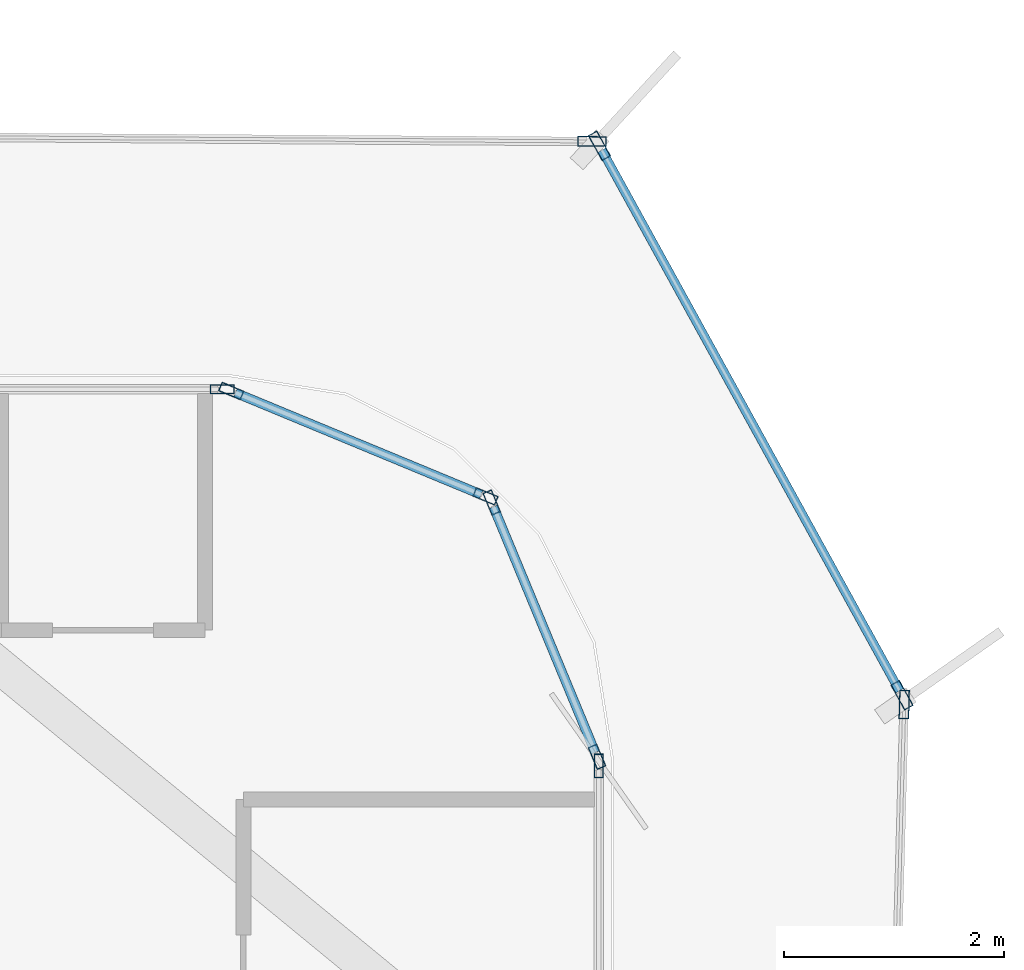
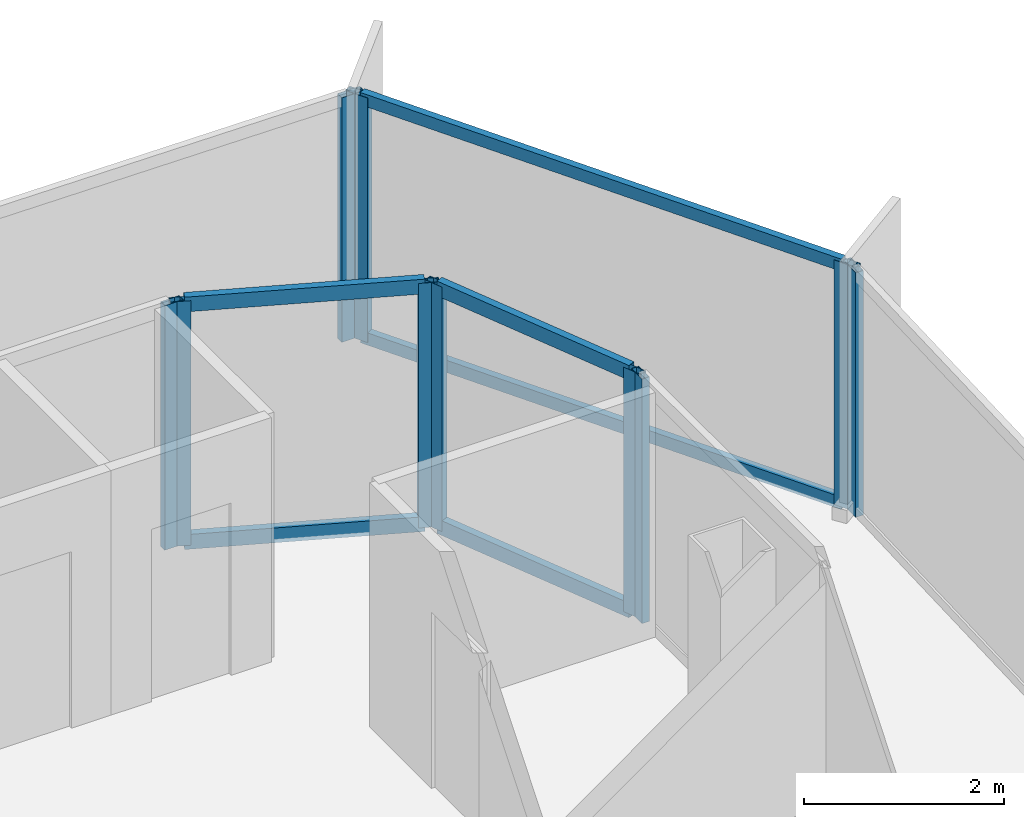
# One storey, part 8 of 15: 16 members, 7 elements without a shape of their own.
"""IFC4 building model written with IfcOpenShell, lengths in metres."""

from ifc_helpers import new_model, si_unit, direction, frame, origin, origin_2d, place, context, subcontext, project, spatial, hollow_rectangle, extrude, source, transform, mapped, material, layer, layer_set, material_profile, profile_set, type_object, element, aggregate, save


model = new_model("IFC4")

# Units and contexts
model_context = context("Model", 3, precision=1e-05, world=origin(), true_north=direction((0.0, 1.0)))
body_context = subcontext(model_context, "Body", "Model", "MODEL_VIEW")
ifc_project = project(units=[si_unit("LENGTHUNIT", "METRE"), si_unit("AREAUNIT", "SQUARE_METRE"), si_unit("VOLUMEUNIT", "CUBIC_METRE"), si_unit("PLANEANGLEUNIT", "RADIAN"), si_unit("MASSUNIT", "GRAM", prefix="KILO")], contexts=[model_context])

# Site, building, storey
site_placement = place(None, origin())
site = spatial("IfcSite", under=ifc_project, at=site_placement, CompositionType="ELEMENT")
building_placement = place(site_placement, origin())
building = spatial("IfcBuilding", under=site, at=building_placement, Name="Kolveth Station Tower", CompositionType="ELEMENT")
storey_placement = place(building_placement, frame((0.0, 0.0, 268.10009765625)))
storey = spatial("IfcBuildingStorey", under=building, at=storey_placement, Name="L77", CompositionType="ELEMENT", Elevation=268.10009765625)

# Curtain wall, member
ifc_material_1 = material(Name="Aluminium 6063-T6 and triple low-E dark glass", Category="aluminium")
ifc_layer_1 = layer(ifc_material_1, 0.199951171875)
ifc_layer_set_1 = layer_set([ifc_layer_1], Name="Aluminium 6063-T6 and triple low-E dark glass")
curtain_wall_type_1 = type_object("IfcCurtainWallType", Name="CurtainWall_CW-Z3", PredefinedType="NOTDEFINED", material=ifc_layer_set_1)
curtain_wall_1_placement = place(storey_placement, origin())
curtain_wall_1 = element("IfcCurtainWall", 1, at=curtain_wall_1_placement, inside=storey, type_object=curtain_wall_type_1, Name="L77 Inner Thermal Curtain Wall 3", PredefinedType="NOTDEFINED")
ifc_material_2 = material(Name="Black anodized aluminium 6063-T6", Category="aluminium")
ifc_material_profile_1 = material_profile(ifc_material_2, hollow_rectangle(XDim=0.0849609375, YDim=0.215087890625, WallThickness=0.0048828125, at=origin_2d()), Name="ALU-85x215x5")
ifc_profile_set_1 = profile_set([ifc_material_profile_1], Name="Black anodized aluminium 6063-T6")
member_type_1 = type_object("IfcMemberType", Name="Mullion_ML3", PredefinedType="MULLION", material=ifc_profile_set_1)
shared_shape_1 = source(origin(), body_context, "Body", "SweptSolid", [
    extrude(hollow_rectangle(XDim=0.0849609375, YDim=0.215087890625, WallThickness=0.0048828125, at=origin_2d()), origin(), (0.0, 0.0, 1.0), 2.97998046875),
])
member_1_placement = place(storey_placement, frame((41.679931640625, 31.757568359375, 0.0), z_axis=(0.0, 0.0, 1.0), x_axis=(-1.0, 0.0, 0.0)))
member_1 = element("IfcMember", 2, at=member_1_placement, type_object=member_type_1, Name="CW-Z3 mullion 2", PredefinedType="MULLION", context=body_context, shape_type="MappedRepresentation", body=[
    mapped(shared_shape_1, transform((0.0, 0.0, 0.0), x_axis=(1.0, 0.0, 0.0), y_axis=(0.0, 1.0, 0.0), z_axis=(0.0, 0.0, 1.0), scale=1.0)),
])
aggregate(curtain_wall_1, [member_1])

# Curtain wall, members
curtain_wall_2_placement = place(storey_placement, origin())
curtain_wall_2 = element("IfcCurtainWall", 3, at=curtain_wall_2_placement, inside=storey, type_object=curtain_wall_type_1, Name="L77 Inner Thermal Curtain Wall 4", PredefinedType="NOTDEFINED")
member_2_placement = place(storey_placement, frame((41.663818359375, 31.83935546875, 0.0), z_axis=(0.0, 0.0, 1.0), x_axis=(-0.923875488975, -0.382693194181, 0.0)))
member_2 = element("IfcMember", 4, at=member_2_placement, type_object=member_type_1, Name="CW-Z3 mullion 1", PredefinedType="MULLION", context=body_context, shape_type="MappedRepresentation", body=[
    mapped(shared_shape_1, transform((0.0, 0.0, 0.0), x_axis=(1.0, 0.0, 0.0), y_axis=(0.0, 1.0, 0.0), z_axis=(0.0, 0.0, 1.0), scale=1.0)),
])
member_3_placement = place(storey_placement, frame((40.706298828125, 34.150634765625, 0.0), z_axis=(0.0, 0.0, 1.0), x_axis=(-0.923875488975, -0.382693194181, 0.0)))
member_3 = element("IfcMember", 5, at=member_3_placement, type_object=member_type_1, Name="CW-Z3 mullion 2", PredefinedType="MULLION", context=body_context, shape_type="MappedRepresentation", body=[
    mapped(shared_shape_1, transform((0.0, 0.0, 0.0), x_axis=(1.0, 0.0, 0.0), y_axis=(0.0, 1.0, 0.0), z_axis=(0.0, 0.0, 1.0), scale=1.0)),
])

curtain_wall_3_placement = place(storey_placement, origin())
curtain_wall_3 = element("IfcCurtainWall", 6, at=curtain_wall_3_placement, inside=storey, type_object=curtain_wall_type_1, Name="L77 Inner Thermal Curtain Wall 5", PredefinedType="NOTDEFINED")
member_4_placement = place(storey_placement, frame((40.650634765625, 34.206298828125, 0.0), z_axis=(0.0, 0.0, 1.0), x_axis=(-0.382693194181, -0.923875488975, 0.0)))
member_4 = element("IfcMember", 7, at=member_4_placement, type_object=member_type_1, Name="CW-Z3 mullion 1", PredefinedType="MULLION", context=body_context, shape_type="MappedRepresentation", body=[
    mapped(shared_shape_1, transform((0.0, 0.0, 0.0), x_axis=(1.0, 0.0, 0.0), y_axis=(0.0, 1.0, 0.0), z_axis=(0.0, 0.0, 1.0), scale=1.0)),
])
member_5_placement = place(storey_placement, frame((38.33935546875, 35.163818359375, 0.0), z_axis=(0.0, 0.0, 1.0), x_axis=(-0.382693194181, -0.923875488975, 0.0)))
member_5 = element("IfcMember", 8, at=member_5_placement, type_object=member_type_1, Name="CW-Z3 mullion 2", PredefinedType="MULLION", context=body_context, shape_type="MappedRepresentation", body=[
    mapped(shared_shape_1, transform((0.0, 0.0, 0.0), x_axis=(1.0, 0.0, 0.0), y_axis=(0.0, 1.0, 0.0), z_axis=(0.0, 0.0, 1.0), scale=1.0)),
])

# Curtain wall, member
curtain_wall_4_placement = place(storey_placement, origin())
curtain_wall_4 = element("IfcCurtainWall", 9, at=curtain_wall_4_placement, inside=storey, type_object=curtain_wall_type_1, Name="L77 Inner Thermal Curtain Wall 6", PredefinedType="NOTDEFINED")
member_6_placement = place(storey_placement, frame((38.257568359375, 35.179931640625, 0.0), z_axis=(0.0, 0.0, 1.0), x_axis=(0.0, -1.0, 0.0)))
member_6 = element("IfcMember", 10, at=member_6_placement, type_object=member_type_1, Name="CW-Z3 mullion 1", PredefinedType="MULLION", context=body_context, shape_type="MappedRepresentation", body=[
    mapped(shared_shape_1, transform((0.0, 0.0, 0.0), x_axis=(1.0, 0.0, 0.0), y_axis=(0.0, 1.0, 0.0), z_axis=(0.0, 0.0, 1.0), scale=1.0)),
])
aggregate(curtain_wall_4, [member_6])

# Member
ifc_material_profile_2 = material_profile(ifc_material_2, hollow_rectangle(XDim=0.0849609375, YDim=0.179931640625, WallThickness=0.0048828125, at=origin_2d()), Name="ALU-85x180x5")
ifc_profile_set_2 = profile_set([ifc_material_profile_2], Name="Black anodized aluminium 6063-T6")
member_type_2 = type_object("IfcMemberType", Name="Transom_TR3", PredefinedType="USERDEFINED", material=ifc_profile_set_2)
shared_shape_2 = source(origin(), body_context, "Body", "SweptSolid", [
    extrude(hollow_rectangle(XDim=0.0849609375, YDim=0.179931640625, WallThickness=0.0048828125, at=origin_2d()), origin(), (0.0, 0.0, 1.0), 2.417236328125),
])
member_7_placement = place(storey_placement, frame((41.6474609375, 31.87841796875, 0.04248046875), z_axis=(-0.382699687013, 0.923872799448, 0.0), x_axis=(-0.923872799448, -0.382699687013, 0.0)))
member_7 = element("IfcMember", 11, at=member_7_placement, type_object=member_type_2, Name="CW-Z3 transom 1.1", ObjectType="TRANSOM", PredefinedType="USERDEFINED", context=body_context, shape_type="MappedRepresentation", body=[
    mapped(shared_shape_2, transform((0.0, 0.0, 0.0), x_axis=(1.0, 0.0, 0.0), y_axis=(0.0, 1.0, 0.0), z_axis=(0.0, 0.0, 1.0), scale=1.0)),
])

member_8_placement = place(storey_placement, frame((41.6474609375, 31.87841796875, 2.9375), z_axis=(-0.382699687013, 0.923872799448, 0.0), x_axis=(-0.923872799448, -0.382699687013, 0.0)))
member_8 = element("IfcMember", 12, at=member_8_placement, type_object=member_type_2, Name="CW-Z3 transom 1.2", ObjectType="TRANSOM", PredefinedType="USERDEFINED", context=body_context, shape_type="MappedRepresentation", body=[
    mapped(shared_shape_2, transform((0.0, 0.0, 0.0), x_axis=(1.0, 0.0, 0.0), y_axis=(0.0, 1.0, 0.0), z_axis=(0.0, 0.0, 1.0), scale=1.0)),
])

aggregate(curtain_wall_2, [member_2, member_3, member_7, member_8])

member_9_placement = place(storey_placement, frame((40.611572265625, 34.222412109375, 0.04248046875), z_axis=(-0.923872799448, 0.382699687013, 0.0), x_axis=(-0.382699687013, -0.923872799448, 0.0)))
member_9 = element("IfcMember", 13, at=member_9_placement, type_object=member_type_2, Name="CW-Z3 transom 1.1", ObjectType="TRANSOM", PredefinedType="USERDEFINED", context=body_context, shape_type="MappedRepresentation", body=[
    mapped(shared_shape_2, transform((0.0, 0.0, 0.0), x_axis=(1.0, 0.0, 0.0), y_axis=(0.0, 1.0, 0.0), z_axis=(0.0, 0.0, 1.0), scale=1.0)),
])

member_10_placement = place(storey_placement, frame((40.611572265625, 34.222412109375, 2.9375), z_axis=(-0.923872799448, 0.382699687013, 0.0), x_axis=(-0.382699687013, -0.923872799448, 0.0)))
member_10 = element("IfcMember", 14, at=member_10_placement, type_object=member_type_2, Name="CW-Z3 transom 1.2", ObjectType="TRANSOM", PredefinedType="USERDEFINED", context=body_context, shape_type="MappedRepresentation", body=[
    mapped(shared_shape_2, transform((0.0, 0.0, 0.0), x_axis=(1.0, 0.0, 0.0), y_axis=(0.0, 1.0, 0.0), z_axis=(0.0, 0.0, 1.0), scale=1.0)),
])

aggregate(curtain_wall_3, [member_4, member_5, member_9, member_10])

# Curtain wall, member
ifc_material_3 = material(Name="Black anodized aluminium 6063-T6 and dark solar glass", Category="aluminium")
ifc_layer_2 = layer(ifc_material_3, 0.159912109375)
ifc_layer_set_2 = layer_set([ifc_layer_2], Name="Black anodized aluminium 6063-T6 and dark solar glass")
curtain_wall_type_2 = type_object("IfcCurtainWallType", Name="OUTER SKIN CW-OS", PredefinedType="NOTDEFINED", material=ifc_layer_set_2)
curtain_wall_5_placement = place(storey_placement, origin())
curtain_wall_5 = element("IfcCurtainWall", 15, at=curtain_wall_5_placement, inside=storey, type_object=curtain_wall_type_2, Name="L77 Outer Ventilated Skin Curtain Wall 2", PredefinedType="NOTDEFINED")
ifc_material_profile_3 = material_profile(ifc_material_2, hollow_rectangle(XDim=0.090087890625, YDim=0.260009765625, WallThickness=0.0048828125, at=origin_2d()), Name="ALU-90x260x5")
ifc_profile_set_3 = profile_set([ifc_material_profile_3], Name="Black anodized aluminium 6063-T6")
member_type_3 = type_object("IfcMemberType", Name="FIN MULLION ML-OS", PredefinedType="MULLION", material=ifc_profile_set_3)
shared_shape_3 = source(origin(), body_context, "Body", "SweptSolid", [
    extrude(hollow_rectangle(XDim=0.090087890625, YDim=0.260009765625, WallThickness=0.0048828125, at=origin_2d()), origin(), (0.0, 0.0, 1.0), 2.97998046875),
])
member_11_placement = place(storey_placement, frame((44.45556640625, 32.314697265625, 0.0), z_axis=(0.0, 0.0, 1.0), x_axis=(-0.999633066342, 0.02708750036, 0.0)))
member_11 = element("IfcMember", 16, at=member_11_placement, type_object=member_type_3, Name="CW-OS mullion 2", PredefinedType="MULLION", context=body_context, shape_type="MappedRepresentation", body=[
    mapped(shared_shape_3, transform((0.0, 0.0, 0.0), x_axis=(1.0, 0.0, 0.0), y_axis=(0.0, 1.0, 0.0), z_axis=(0.0, 0.0, 1.0), scale=1.0)),
])
aggregate(curtain_wall_5, [member_11])

# Curtain wall, members
curtain_wall_6_placement = place(storey_placement, origin())
curtain_wall_6 = element("IfcCurtainWall", 17, at=curtain_wall_6_placement, inside=storey, type_object=curtain_wall_type_2, Name="L77 Outer Ventilated Skin Curtain Wall 3", PredefinedType="NOTDEFINED")
member_12_placement = place(storey_placement, frame((44.435302734375, 32.399169921875, 0.0), z_axis=(0.0, 0.0, 1.0), x_axis=(-0.875996288916, -0.482317843133, 0.0)))
member_12 = element("IfcMember", 18, at=member_12_placement, type_object=member_type_3, Name="CW-OS mullion 1", PredefinedType="MULLION", context=body_context, shape_type="MappedRepresentation", body=[
    mapped(shared_shape_3, transform((0.0, 0.0, 0.0), x_axis=(1.0, 0.0, 0.0), y_axis=(0.0, 1.0, 0.0), z_axis=(0.0, 0.0, 1.0), scale=1.0)),
])
member_13_placement = place(storey_placement, frame((41.68603515625, 37.39208984375, 0.0), z_axis=(0.0, 0.0, 1.0), x_axis=(-0.875996288916, -0.482317843133, 0.0)))
member_13 = element("IfcMember", 19, at=member_13_placement, type_object=member_type_3, Name="CW-OS mullion 2", PredefinedType="MULLION", context=body_context, shape_type="MappedRepresentation", body=[
    mapped(shared_shape_3, transform((0.0, 0.0, 0.0), x_axis=(1.0, 0.0, 0.0), y_axis=(0.0, 1.0, 0.0), z_axis=(0.0, 0.0, 1.0), scale=1.0)),
])

# Curtain wall, member
curtain_wall_7_placement = place(storey_placement, origin())
curtain_wall_7 = element("IfcCurtainWall", 20, at=curtain_wall_7_placement, inside=storey, type_object=curtain_wall_type_2, Name="L77 Outer Ventilated Skin Curtain Wall 4", PredefinedType="NOTDEFINED")
member_14_placement = place(storey_placement, frame((41.619384765625, 37.431884765625, 0.0), z_axis=(0.0, 0.0, 1.0), x_axis=(-0.006677203964, -0.999977707225, 0.0)))
member_14 = element("IfcMember", 21, at=member_14_placement, type_object=member_type_3, Name="CW-OS mullion 1", PredefinedType="MULLION", context=body_context, shape_type="MappedRepresentation", body=[
    mapped(shared_shape_3, transform((0.0, 0.0, 0.0), x_axis=(1.0, 0.0, 0.0), y_axis=(0.0, 1.0, 0.0), z_axis=(0.0, 0.0, 1.0), scale=1.0)),
])
aggregate(curtain_wall_7, [member_14])

# Member
ifc_material_profile_4 = material_profile(ifc_material_2, hollow_rectangle(XDim=0.080078125, YDim=0.14990234375, WallThickness=0.0048828125, at=origin_2d()), Name="ALU-80x150x5")
ifc_profile_set_4 = profile_set([ifc_material_profile_4], Name="Black anodized aluminium 6063-T6")
member_type_4 = type_object("IfcMemberType", Name="Transom_TR-OS", PredefinedType="USERDEFINED", material=ifc_profile_set_4)
shared_shape_4 = source(origin(), body_context, "Body", "SweptSolid", [
    extrude(hollow_rectangle(XDim=0.080078125, YDim=0.14990234375, WallThickness=0.0048828125, at=origin_2d()), origin(), (0.0, 0.0, 1.0), 5.60986328125),
])
member_15_placement = place(storey_placement, frame((44.41357421875, 32.438720703125, 0.039794921875), z_axis=(-0.482339700341, 0.875984254125, 0.0), x_axis=(-0.875984254125, -0.482339700341, 0.0)))
member_15 = element("IfcMember", 22, at=member_15_placement, type_object=member_type_4, Name="CW-OS transom 1.1", ObjectType="TRANSOM", PredefinedType="USERDEFINED", context=body_context, shape_type="MappedRepresentation", body=[
    mapped(shared_shape_4, transform((0.0, 0.0, 0.0), x_axis=(1.0, 0.0, 0.0), y_axis=(0.0, 1.0, 0.0), z_axis=(0.0, 0.0, 1.0), scale=1.0)),
])

member_16_placement = place(storey_placement, frame((44.41357421875, 32.438720703125, 2.93994140625), z_axis=(-0.482339700341, 0.875984254125, 0.0), x_axis=(-0.875984254125, -0.482339700341, 0.0)))
member_16 = element("IfcMember", 23, at=member_16_placement, type_object=member_type_4, Name="CW-OS transom 1.2", ObjectType="TRANSOM", PredefinedType="USERDEFINED", context=body_context, shape_type="MappedRepresentation", body=[
    mapped(shared_shape_4, transform((0.0, 0.0, 0.0), x_axis=(1.0, 0.0, 0.0), y_axis=(0.0, 1.0, 0.0), z_axis=(0.0, 0.0, 1.0), scale=1.0)),
])

aggregate(curtain_wall_6, [member_12, member_13, member_15, member_16])

save(model, "model.ifc")
